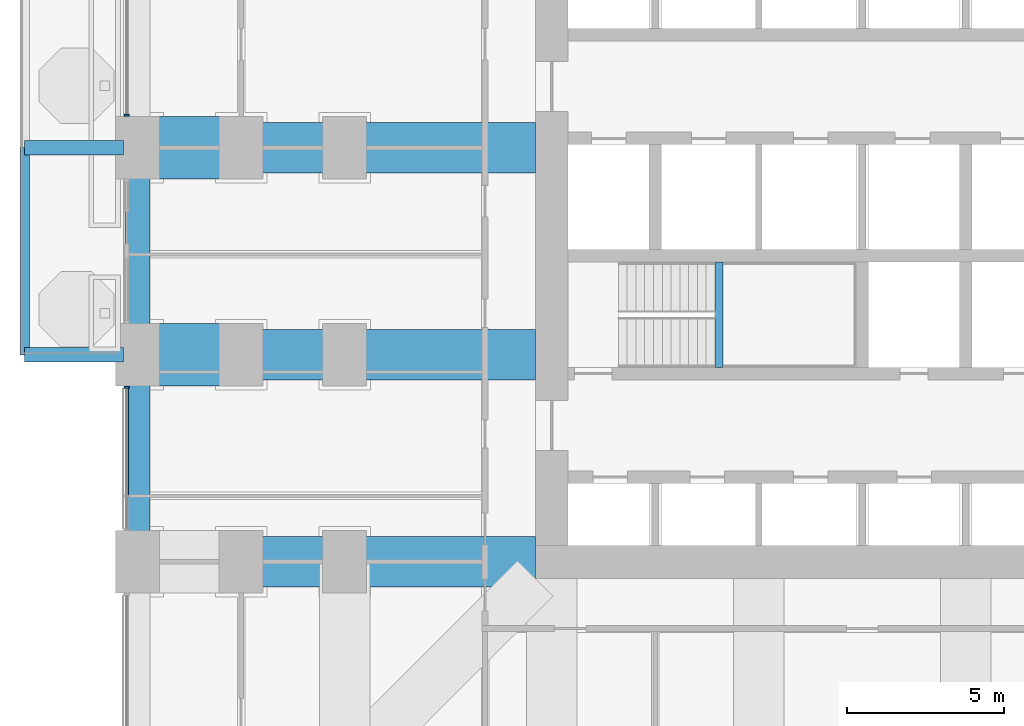
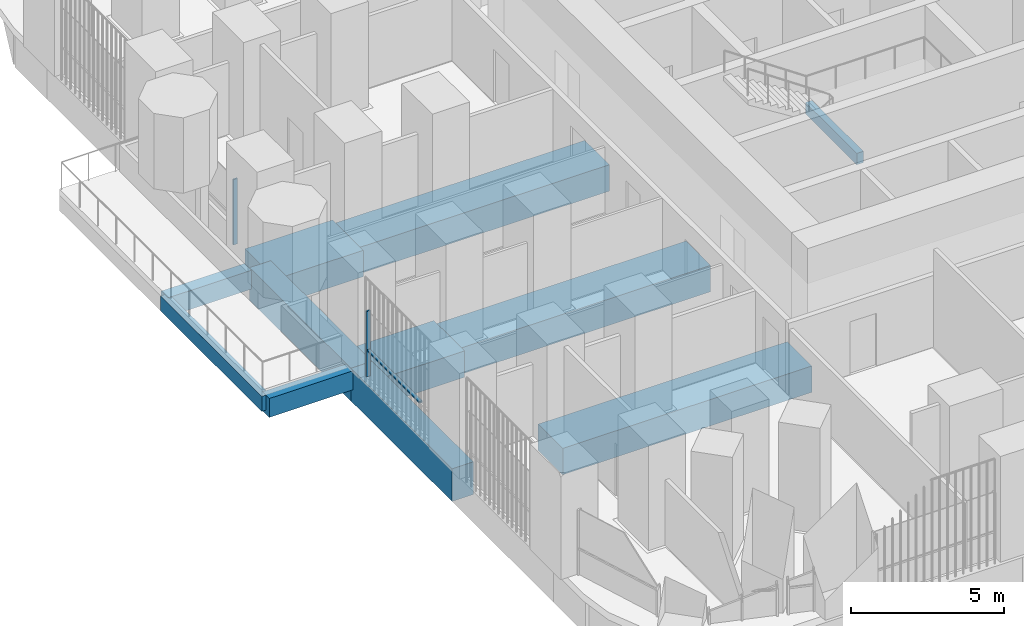
# One storey, part 3 of 25: 11 beams, 3 members, 2 elements without a shape of their own.
"""IFC4 building model written with IfcOpenShell, lengths in metres."""

import ifcopenshell
import ifcopenshell.guid

model = None  # the IFC model being written
_history = None  # IfcOwnerHistory: only IFC2X3 demands one
_inside = {}  # id of a spatial element -> (the spatial element, [elements in it])
_under = {}  # id of a project, library or spatial element -> (it, [spatial elements below it])
_declared = {}  # id of a project -> (the project, [libraries it declares])
_typed = {}  # id of a type object -> (the type object, [elements of that type])
_made_of = {}  # id of a material, layer set ... -> (it, [elements and type objects made of it])


def new_model(schema):
    """Start an empty IFC model of exactly this schema.

    Asked for "IFC4X3", IfcOpenShell would pick the latest addendum, in which some entities
    have other attributes; the version numbers below select the first issue.
    IFC2X3 requires an IfcOwnerHistory on every rooted entity: one is made here for all.
    """
    global model, _history
    if schema == "IFC4X3":
        model = ifcopenshell.file(schema_version=(4, 3, 0, 0))
    else:
        model = ifcopenshell.file(schema=schema)
    _inside.clear()
    _under.clear()
    _declared.clear()
    _typed.clear()
    _made_of.clear()
    _history = None
    if model.schema == "IFC2X3":
        org = make("IfcOrganization", Name="unknown")
        user = make(
            "IfcPersonAndOrganization",
            ThePerson=make("IfcPerson", FamilyName="unknown"),
            TheOrganization=org,
        )
        app = make(
            "IfcApplication",
            ApplicationDeveloper=org,
            Version="unknown",
            ApplicationFullName="unknown",
            ApplicationIdentifier="unknown",
        )
        _history = make(
            "IfcOwnerHistory",
            OwningUser=user,
            OwningApplication=app,
            ChangeAction="ADDED",
            CreationDate=0,
        )
    return model


def make(cls, **values):
    """One entity of the class cls with the attributes given. An attribute that is None is left unset."""
    return model.create_entity(
        cls, **{name: value for name, value in values.items() if value is not None}
    )


def rooted(cls, **values):
    """An entity with a GlobalId (a new one), such as an element, a storey or a relation."""
    return make(cls, GlobalId=ifcopenshell.guid.new(), OwnerHistory=_history, **values)


def si_unit(unit_type, name, prefix=None):
    """IfcSIUnit, for example si_unit("LENGTHUNIT", "METRE", prefix="MILLI")."""
    return make("IfcSIUnit", UnitType=unit_type, Prefix=prefix, Name=name)


def assignment(units):
    """IfcUnitAssignment: the units of a project."""
    return None if units is None else make("IfcUnitAssignment", Units=units)


def point(xyz):
    """IfcCartesianPoint."""
    return None if xyz is None else make("IfcCartesianPoint", Coordinates=xyz)


def direction(xyz):
    """IfcDirection."""
    return None if xyz is None else make("IfcDirection", DirectionRatios=xyz)


def frame(location, z_axis=None, x_axis=None):
    """IfcAxis2Placement3D, a coordinate frame: its origin and axes. An axis left out is left unset."""
    return make(
        "IfcAxis2Placement3D",
        Location=point(location),
        Axis=direction(z_axis),
        RefDirection=direction(x_axis),
    )


def frame_2d(location, x_axis=None):
    """IfcAxis2Placement2D, a coordinate frame in the plane: its origin and x axis."""
    return make(
        "IfcAxis2Placement2D", Location=point(location), RefDirection=direction(x_axis)
    )


def origin():
    """The frame at (0, 0, 0) with its axes left unset."""
    return frame((0.0, 0.0, 0.0))


def origin_2d():
    """The frame at (0, 0) in the plane with its x axis left unset."""
    return frame_2d((0.0, 0.0))


def place(relative_to, where):
    """IfcLocalPlacement: puts the frame where relative to a parent placement (None: the world)."""
    return make(
        "IfcLocalPlacement", PlacementRelTo=relative_to, RelativePlacement=where
    )


def context(
    kind, dimensions, precision=None, world=None, true_north=None, identifier=None
):
    """IfcGeometricRepresentationContext, for example the 3D "Model" context."""
    return make(
        "IfcGeometricRepresentationContext",
        ContextIdentifier=identifier,
        ContextType=kind,
        CoordinateSpaceDimension=dimensions,
        Precision=precision,
        WorldCoordinateSystem=world,
        TrueNorth=true_north,
    )


def subcontext(parent, identifier, kind, view, scale=None):
    """IfcGeometricRepresentationSubContext, for example "Body" below "Model"."""
    return make(
        "IfcGeometricRepresentationSubContext",
        ContextIdentifier=identifier,
        ContextType=kind,
        ParentContext=parent,
        TargetScale=scale,
        TargetView=view,
    )


def project(units=None, contexts=None):
    """IfcProject with its units and contexts."""
    return rooted(
        "IfcProject",
        Name="project",
        RepresentationContexts=contexts,
        UnitsInContext=assignment(units),
    )


def spatial(cls, under=None, at=None, **own):
    """A site, building, storey or space (cls), placed at a placement, below another one or the project."""
    s = rooted(cls, ObjectPlacement=at, **own)
    if under is not None:
        _under.setdefault(under.id(), (under, []))[1].append(s)
    return s


def profile(cls, at=None, kind="AREA", **sizes):
    """A parametric profile (cls). Its sizes go by their IFC names, for example OverallWidth=200.0."""
    return make(cls, ProfileType=kind, Position=at, **sizes)


def rectangle(**sizes):
    """IfcRectangleProfileDef."""
    return profile("IfcRectangleProfileDef", **sizes)


def extrude(swept, where, along, depth):
    """IfcExtrudedAreaSolid: the profile swept, set in the frame where, extruded along a direction by depth."""
    return make(
        "IfcExtrudedAreaSolid",
        SweptArea=swept,
        Position=where,
        ExtrudedDirection=direction(along),
        Depth=depth,
    )


def shape(context_of_items, identifier, shape_type, items):
    """IfcShapeRepresentation: the items that make up one representation, for example the "Body"."""
    return make(
        "IfcShapeRepresentation",
        ContextOfItems=context_of_items,
        RepresentationIdentifier=identifier,
        RepresentationType=shape_type,
        Items=items,
    )


def material(Name=None, Category=None):
    """IfcMaterial."""
    return make("IfcMaterial", Name=Name, Category=Category)


def material_profile(
    of_material, cross_section, Name=None, Category=None, Priority=None
):
    """IfcMaterialProfile: a cross section and its material."""
    return make(
        "IfcMaterialProfile",
        Name=Name,
        Material=of_material,
        Profile=cross_section,
        Priority=Priority,
        Category=Category,
    )


def profile_set(profiles, Name=None, composite=None):
    """IfcMaterialProfileSet."""
    return make(
        "IfcMaterialProfileSet",
        Name=Name,
        MaterialProfiles=profiles,
        CompositeProfile=composite,
    )


def made_of(thing, what):
    """Note that an element or type object is made of a material, layer set ...; save() writes the relation."""
    if what is not None:
        _made_of.setdefault(what.id(), (what, []))[1].append(thing)
    return thing


def type_object(cls, material=None, **own):
    """A type object (cls), such as IfcWallType, which elements share."""
    return made_of(rooted(cls, **own), material)


def element(
    cls,
    number,
    at=None,
    inside=None,
    cuts=None,
    type_object=None,
    material=None,
    context=None,
    identifier="Body",
    shape_type=None,
    held_by="IfcProductDefinitionShape",
    body=None,
    shapes=None,
    **own,
):
    """One element of the class cls, such as IfcWall. Its Tag is "e" and its number.

    at: its placement. inside: the storey or other place that contains it. cuts: it is an
    opening in that element (IfcRelVoidsElement). A single representation is given by context,
    identifier, shape_type and body (its items); several are given by shapes. held_by: the class
    of the entity that holds the representations. save() writes the other relations.
    """
    e = rooted(cls, Tag="e%d" % number, ObjectPlacement=at, **own)
    if body is not None:
        shapes = [shape(context, identifier, shape_type, body)]
    if shapes is not None:
        e.Representation = make(held_by, Representations=shapes)
    if inside is not None:
        _inside.setdefault(inside.id(), (inside, []))[1].append(e)
    if cuts is not None:
        rooted(
            "IfcRelVoidsElement", RelatingBuildingElement=cuts, RelatedOpeningElement=e
        )
    if type_object is not None:
        _typed.setdefault(type_object.id(), (type_object, []))[1].append(e)
    return made_of(e, material)


def aggregate(whole, parts):
    """IfcRelAggregates: a whole, such as a stair, and the parts it consists of."""
    return rooted("IfcRelAggregates", RelatingObject=whole, RelatedObjects=parts)


def save(model, path):
    """Write the relations noted so far, then the file.

    IfcRelAggregates (storeys below a building ...), IfcRelContainedInSpatialStructure (elements
    in a storey), IfcRelDefinesByType, IfcRelAssociatesMaterial and IfcRelDeclares: one each for
    every whole, place, type object, material and project.
    """
    for whole, parts in _under.values():
        aggregate(whole, parts)
    for where, things in _inside.values():
        rooted(
            "IfcRelContainedInSpatialStructure",
            RelatedElements=things,
            RelatingStructure=where,
        )
    for kind, things in _typed.values():
        rooted("IfcRelDefinesByType", RelatedObjects=things, RelatingType=kind)
    for what, things in _made_of.values():
        rooted("IfcRelAssociatesMaterial", RelatedObjects=things, RelatingMaterial=what)
    for by, libraries in _declared.values():
        rooted("IfcRelDeclares", RelatingContext=by, RelatedDefinitions=libraries)
    model.write(path)


model = new_model("IFC4")

# Units and contexts
model_context = context("Model", 3, precision=1e-05, world=origin(), true_north=direction((0.0, 1.0)))
body_context = subcontext(model_context, "Body", "Model", "MODEL_VIEW")
ifc_project = project(units=[si_unit("LENGTHUNIT", "METRE"), si_unit("AREAUNIT", "SQUARE_METRE"), si_unit("VOLUMEUNIT", "CUBIC_METRE"), si_unit("PLANEANGLEUNIT", "RADIAN"), si_unit("MASSUNIT", "GRAM", prefix="KILO")], contexts=[model_context])

# Site, building, storey
site_placement = place(None, origin())
site = spatial("IfcSite", under=ifc_project, at=site_placement, CompositionType="ELEMENT")
building_placement = place(site_placement, origin())
building = spatial("IfcBuilding", under=site, at=building_placement, Name="Cobogo Forest Laboratory Tower", CompositionType="ELEMENT")
storey_placement = place(building_placement, frame((0.0, 0.0, 67.5)))
storey = spatial("IfcBuildingStorey", under=building, at=storey_placement, Name="L15", CompositionType="ELEMENT", Elevation=67.5)

# Beams
ifc_material_1 = material(Name="Concrete HA-40 (C40/50)", Category="concrete")
ifc_material_profile_1 = material_profile(ifc_material_1, rectangle(XDim=0.449951171875, YDim=0.75, at=origin_2d()), Name="RC 450x750")
ifc_profile_set_1 = profile_set([ifc_material_profile_1], Name="Concrete HA-40 (C40/50)")
beam_type_1 = type_object("IfcBeamType", Name="Balcony cantilever beam 450x750", PredefinedType="BEAM", material=ifc_profile_set_1)
for number, where, z_axis, x_axis, name in (
    (1, (-0.449951171875, 19.800048828125, -0.625), (-1.0, 0.0, 0.0), (0.0, -1.0, 0.0), "CB1 BAL-W1-C1 L15"),
    (2, (-0.449951171875, 26.39990234375, -0.625), (-1.0, 0.0, 0.0), (0.0, -1.0, 0.0), "CB1 BAL-W1-C2 L15"),
):
    element("IfcBeam", number, at=place(storey_placement, frame(where, z_axis=z_axis, x_axis=x_axis)), inside=storey, type_object=beam_type_1, Name=name, PredefinedType="BEAM", context=body_context, shape_type="SweptSolid", body=[
        extrude(rectangle(XDim=0.449951171875, YDim=0.75, at=origin_2d()), origin(), (0.0, 0.0, 1.0), 3.150146484375),
    ])
ifc_material_profile_2 = material_profile(ifc_material_1, rectangle(XDim=0.300048828125, YDim=0.60009765625, at=origin_2d()), Name="RC 300x600")
ifc_profile_set_2 = profile_set([ifc_material_profile_2], Name="Concrete HA-40 (C40/50)")
beam_type_2 = type_object("IfcBeamType", Name="Balcony edge beam 300x600", PredefinedType="BEAM", material=ifc_profile_set_2)
beam_1_placement = place(storey_placement, frame((-3.60009765625, 19.800048828125, -0.550048828125), z_axis=(0.0, 1.0, 0.0), x_axis=(-1.0, 0.0, 0.0)))
element("IfcBeam", 3, at=beam_1_placement, inside=storey, type_object=beam_type_2, Name="BB1 BAL-W1-T1 L15", PredefinedType="BEAM", context=body_context, shape_type="SweptSolid", body=[
    extrude(rectangle(XDim=0.300048828125, YDim=0.60009765625, at=origin_2d()), origin(), (0.0, 0.0, 1.0), 6.599853515625),
])
ifc_material_2 = material(Name="Concrete HA-50 (C50/60)", Category="concrete")
ifc_material_profile_3 = material_profile(ifc_material_2, rectangle(XDim=2.0, YDim=1.050048828125, at=origin_2d()), Name="RC 2000x1050")
ifc_profile_set_3 = profile_set([ifc_material_profile_3], Name="Concrete HA-50 (C50/60)")
beam_type_3 = type_object("IfcBeamType", Name="End-bay wide beam 2000x1050", PredefinedType="BEAM", material=ifc_profile_set_3)
for number, where, z_axis, x_axis, name in (
    (4, (0.0, 19.800048828125, -0.824951171875), (1.0, 0.0, 0.0), (0.0, 1.0, 0.0), "RB7 R-D-W-X L15"),
    (5, (0.0, 26.39990234375, -0.824951171875), (1.0, 0.0, 0.0), (0.0, 1.0, 0.0), "RB7 R-E-W-X L15"),
):
    element("IfcBeam", number, at=place(storey_placement, frame(where, z_axis=z_axis, x_axis=x_axis)), inside=storey, type_object=beam_type_3, Name=name, PredefinedType="BEAM", context=body_context, shape_type="SweptSolid", body=[
        extrude(rectangle(XDim=2.0, YDim=1.050048828125, at=origin_2d()), origin(), (0.0, 0.0, 1.0), 3.300048828125),
    ])
ifc_material_profile_4 = material_profile(ifc_material_1, rectangle(XDim=0.25, YDim=0.449951171875, at=origin_2d()), Name="RC 250x450")
ifc_profile_set_4 = profile_set([ifc_material_profile_4], Name="Concrete HA-40 (C40/50)")
beam_type_4 = type_object("IfcBeamType", Name="LB1 landing beam 250x450", PredefinedType="BEAM", material=ifc_profile_set_4)
beam_2_placement = place(storey_placement, frame((18.530029296875, 19.39990234375, 1.675048828125), z_axis=(0.0, 1.0, 0.0), x_axis=(-1.0, 0.0, 0.0)))
element("IfcBeam", 6, at=beam_2_placement, inside=storey, type_object=beam_type_4, Name="Landing beam ST1 L15", PredefinedType="BEAM", context=body_context, shape_type="SweptSolid", body=[
    extrude(rectangle(XDim=0.25, YDim=0.449951171875, at=origin_2d()), origin(), (0.0, 0.0, 1.0), 3.35009765625),
])
ifc_material_profile_5 = material_profile(ifc_material_2, rectangle(XDim=1.60009765625, YDim=1.050048828125, at=origin_2d()), Name="RC 1600x1050")
ifc_profile_set_5 = profile_set([ifc_material_profile_5], Name="Concrete HA-50 (C50/60)")
beam_type_5 = type_object("IfcBeamType", Name="Laboratory floor wide beam 1600x1050", PredefinedType="BEAM", material=ifc_profile_set_5)
for number, where, z_axis, x_axis, name in (
    (7, (12.675048828125, 13.199951171875, -0.824951171875), (-1.0, 0.0, 0.0), (0.0, -1.0, 0.0), "RB8 R-C-W L15"),
    (8, (12.675048828125, 19.800048828125, -0.824951171875), (-1.0, 0.0, 0.0), (0.0, -1.0, 0.0), "RB8 R-D-W L15"),
    (9, (12.675048828125, 26.39990234375, -0.824951171875), (-1.0, 0.0, 0.0), (0.0, -1.0, 0.0), "RB8 R-E-W L15"),
):
    element("IfcBeam", number, at=place(storey_placement, frame(where, z_axis=z_axis, x_axis=x_axis)), inside=storey, type_object=beam_type_5, Name=name, PredefinedType="BEAM", context=body_context, shape_type="SweptSolid", body=[
        extrude(rectangle(XDim=1.60009765625, YDim=1.050048828125, at=origin_2d()), origin(), (0.0, 0.0, 1.0), 9.375),
    ])

# Curtain wall, member
ifc_material_3 = material(Name="Aluminium curtain wall", Category="aluminium")
curtain_wall_type = type_object("IfcCurtainWallType", Name="CW-1 unitised curtain wall, clear glazing, laboratory floors zones A and B", PredefinedType="USERDEFINED", material=ifc_material_3)
curtain_wall_1_placement = place(storey_placement, origin())
curtain_wall_1 = element("IfcCurtainWall", 10, at=curtain_wall_1_placement, inside=storey, type_object=curtain_wall_type, Name="Curtain wall 28 L15", ObjectType="UNITISED CURTAIN WALL", PredefinedType="USERDEFINED")
ifc_material_4 = material(Name="Aluminium mullion", Category="aluminium")
ifc_material_profile_6 = material_profile(ifc_material_4, rectangle(XDim=0.06005859375, YDim=0.159912109375, at=origin_2d()), Name="AL 60x160")
ifc_profile_set_6 = profile_set([ifc_material_profile_6], Name="Aluminium mullion")
member_type_1 = type_object("IfcMemberType", Name="MU-1 aluminium mullion 60x160", PredefinedType="MULLION", material=ifc_profile_set_6)
member_1_placement = place(storey_placement, frame((-0.35009765625, 27.429931640625, 0.0), z_axis=(0.0, 0.0, 1.0), x_axis=(0.0, -1.0, 0.0)))
member_1 = element("IfcMember", 11, at=member_1_placement, type_object=member_type_1, Name="CW-1 mullion 2", PredefinedType="MULLION", context=body_context, shape_type="SweptSolid", body=[
    extrude(rectangle(XDim=0.06005859375, YDim=0.159912109375, at=origin_2d()), origin(), (0.0, 0.0, 1.0), 2.60009765625),
])
aggregate(curtain_wall_1, [member_1])

curtain_wall_2_placement = place(storey_placement, origin())
curtain_wall_2 = element("IfcCurtainWall", 12, at=curtain_wall_2_placement, inside=storey, type_object=curtain_wall_type, Name="Curtain wall 30 L15", ObjectType="UNITISED CURTAIN WALL", PredefinedType="USERDEFINED")
member_2_placement = place(storey_placement, frame((-0.35009765625, 18.77001953125, 0.0), z_axis=(0.0, 0.0, 1.0), x_axis=(0.0, -1.0, 0.0)))
member_2 = element("IfcMember", 13, at=member_2_placement, type_object=member_type_1, Name="CW-1 mullion 1", PredefinedType="MULLION", context=body_context, shape_type="SweptSolid", body=[
    extrude(rectangle(XDim=0.06005859375, YDim=0.159912109375, at=origin_2d()), origin(), (0.0, 0.0, 1.0), 2.60009765625),
])

# Beams
ifc_material_profile_7 = material_profile(ifc_material_1, rectangle(XDim=0.800048828125, YDim=1.300048828125, at=origin_2d()), Name="RC 800x1300")
ifc_profile_set_7 = profile_set([ifc_material_profile_7], Name="Concrete HA-40 (C40/50)")
beam_type_6 = type_object("IfcBeamType", Name="Perimeter edge beam 800x1300", PredefinedType="BEAM", material=ifc_profile_set_7)
beam_3_placement = place(storey_placement, frame((0.0, 13.199951171875, -0.949951171875), z_axis=(0.0, 1.0, 0.0), x_axis=(-1.0, 0.0, 0.0)))
element("IfcBeam", 14, at=beam_3_placement, inside=storey, type_object=beam_type_6, Name="EB2 E-W2 L15", PredefinedType="BEAM", context=body_context, shape_type="SweptSolid", body=[
    extrude(rectangle(XDim=0.800048828125, YDim=1.300048828125, at=origin_2d()), origin(), (0.0, 0.0, 1.0), 6.60009765625),
])
beam_4_placement = place(storey_placement, frame((0.0, 19.800048828125, -0.949951171875), z_axis=(0.0, 1.0, 0.0), x_axis=(-1.0, 0.0, 0.0)))
element("IfcBeam", 15, at=beam_4_placement, inside=storey, type_object=beam_type_6, Name="EB2 E-W3 L15", PredefinedType="BEAM", context=body_context, shape_type="SweptSolid", body=[
    extrude(rectangle(XDim=0.800048828125, YDim=1.300048828125, at=origin_2d()), origin(), (0.0, 0.0, 1.0), 6.599853515625),
])

# Member
ifc_material_5 = material(Name="Aluminium transom", Category="aluminium")
ifc_material_profile_8 = material_profile(ifc_material_5, rectangle(XDim=0.1201171875, YDim=0.06005859375, at=origin_2d()), Name="AL 60x120")
ifc_profile_set_8 = profile_set([ifc_material_profile_8], Name="Aluminium transom")
member_type_2 = type_object("IfcMemberType", Name="TR-1 aluminium transom 60x120", PredefinedType="USERDEFINED", material=ifc_profile_set_8)
member_3_placement = place(storey_placement, frame((-0.35009765625, 18.739990234375, 1.050048828125), z_axis=(0.0, -1.0, 0.0), x_axis=(1.0, 0.0, 0.0)))
member_3 = element("IfcMember", 16, at=member_3_placement, type_object=member_type_2, Name="CW-1 transom 1.1", ObjectType="TRANSOM", PredefinedType="USERDEFINED", context=body_context, shape_type="SweptSolid", body=[
    extrude(rectangle(XDim=0.1201171875, YDim=0.06005859375, at=origin_2d()), origin(), (0.0, 0.0, 1.0), 3.409912109375),
])

aggregate(curtain_wall_2, [member_2, member_3])

save(model, "model.ifc")
